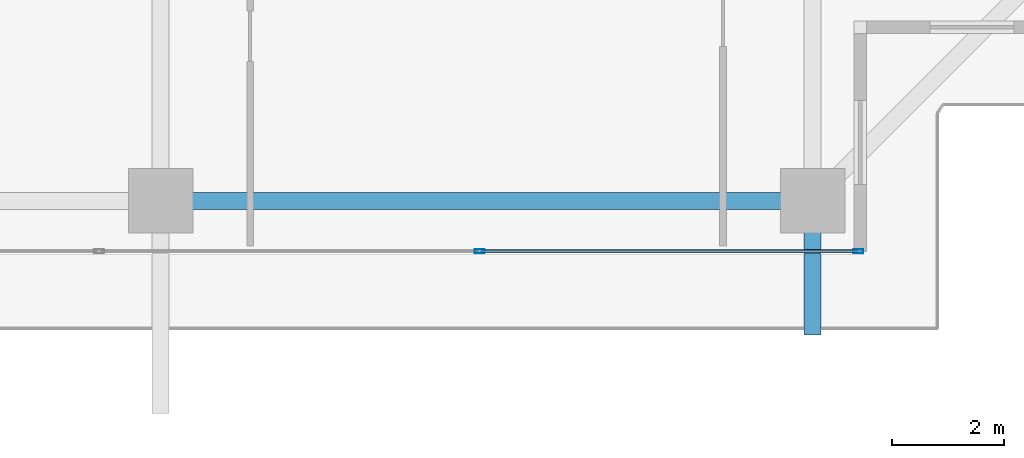
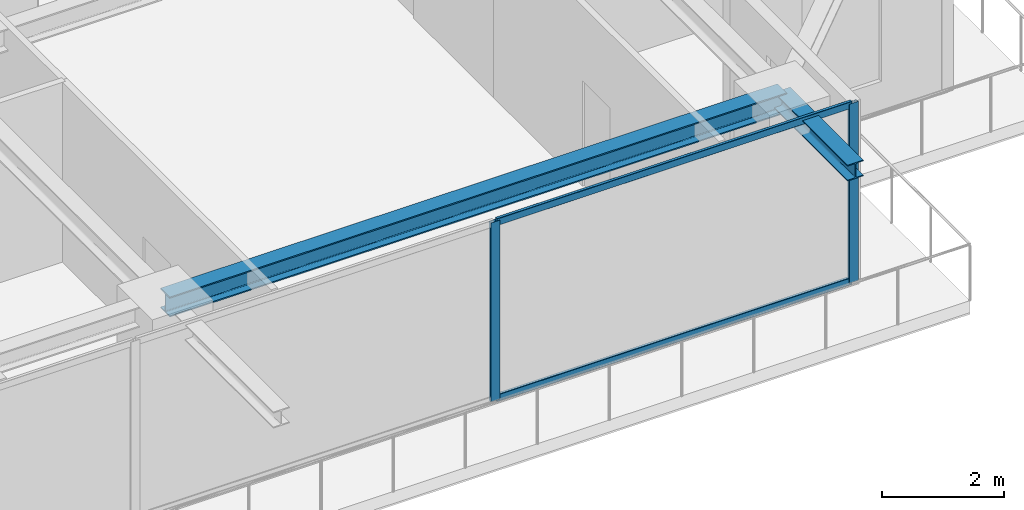
# One storey, part 12 of 40: 4 members, 2 beams, 1 element without a shape of its own.
"""IFC4 building model written with IfcOpenShell, lengths in metres."""

from ifc_helpers import new_model, si_unit, direction, frame, origin, origin_2d, place, context, subcontext, project, spatial, hollow_rectangle, i_section, extrude, source, transform, mapped, material, layer, layer_set, material_profile, profile_set, type_object, element, aggregate, save


model = new_model("IFC4")

# Units and contexts
model_context = context("Model", 3, precision=1e-05, world=origin(), true_north=direction((0.0, 1.0)))
body_context = subcontext(model_context, "Body", "Model", "MODEL_VIEW")
ifc_project = project(units=[si_unit("LENGTHUNIT", "METRE"), si_unit("AREAUNIT", "SQUARE_METRE"), si_unit("VOLUMEUNIT", "CUBIC_METRE"), si_unit("PLANEANGLEUNIT", "RADIAN"), si_unit("MASSUNIT", "GRAM", prefix="KILO")], contexts=[model_context])

# Site, building, storey
site_placement = place(None, origin())
site = spatial("IfcSite", under=ifc_project, at=site_placement, CompositionType="ELEMENT")
building_placement = place(site_placement, origin())
building = spatial("IfcBuilding", under=site, at=building_placement, Name="Serunith Strait Residences", CompositionType="ELEMENT")
storey_placement = place(building_placement, frame((0.0, 0.0, 252.800048828125)))
storey = spatial("IfcBuildingStorey", under=building, at=storey_placement, Name="L63", CompositionType="ELEMENT", Elevation=252.800048828125)

# Beams
ifc_material_1 = material(Name="Steel S355J2", Category="steel")
ifc_material_profile_1 = material_profile(ifc_material_1, i_section(OverallWidth=0.300048828125, OverallDepth=0.39990234375, WebThickness=0.013427734375, FlangeThickness=0.02392578125, FilletRadius=0.027099609375, at=origin_2d()), Name="HEB 400")
ifc_profile_set_1 = profile_set([ifc_material_profile_1], Name="Steel S355J2")
beam_type_1 = type_object("IfcBeamType", Name="BM-HEB400", PredefinedType="BEAM", material=ifc_profile_set_1)
shared_shape_1 = source(origin(), body_context, "Body", "SweptSolid", [
    extrude(i_section(OverallWidth=0.300048828125, OverallDepth=0.39990234375, WebThickness=0.013427734375, FlangeThickness=0.02392578125, FilletRadius=0.027099609375, at=origin_2d()), origin(), (0.0, 0.0, 1.0), 11.650146484375),
])
beam_1_placement = place(storey_placement, frame((36.89990234375, 2.10009765625, 3.386962890625), z_axis=(1.0, 0.0, 0.0), x_axis=(0.0, 1.0, 0.0)))
element("IfcBeam", 1, at=beam_1_placement, inside=storey, type_object=beam_type_1, Name="L63 Perimeter Ring Beam 03", PredefinedType="BEAM", context=body_context, shape_type="MappedRepresentation", body=[
    mapped(shared_shape_1, transform((0.0, 0.0, 0.0), scale=1.0)),
])
ifc_material_profile_2 = material_profile(ifc_material_1, i_section(OverallWidth=0.300048828125, OverallDepth=0.320068359375, WebThickness=0.011474609375, FlangeThickness=0.0205078125, FilletRadius=0.027099609375, at=origin_2d()), Name="HEB 320")
ifc_profile_set_2 = profile_set([ifc_material_profile_2], Name="Steel S355J2")
beam_type_2 = type_object("IfcBeamType", Name="BM-HEB320", PredefinedType="BEAM", material=ifc_profile_set_2)
shared_shape_2 = source(origin(), body_context, "Body", "SweptSolid", [
    extrude(i_section(OverallWidth=0.300048828125, OverallDepth=0.320068359375, WebThickness=0.011474609375, FlangeThickness=0.0205078125, FilletRadius=0.027099609375, at=origin_2d()), origin(), (0.0, 0.0, 1.0), 2.397705078125),
])
beam_2_placement = place(storey_placement, frame((48.550048828125, 2.10009765625, 3.39697265625), z_axis=(0.0, -1.0, 0.0), x_axis=(1.0, 0.0, 0.0)))
element("IfcBeam", 2, at=beam_2_placement, inside=storey, type_object=beam_type_2, Name="L64 Cantilevered Balcony Rib TC-S4", PredefinedType="BEAM", context=body_context, shape_type="MappedRepresentation", body=[
    mapped(shared_shape_2, transform((0.0, 0.0, 0.0), scale=1.0)),
])

# Curtain wall, members
ifc_material_2 = material(Name="Pale-Champagne Anodised Aluminium", Category="aluminium")
ifc_layer = layer(ifc_material_2, 0.199951171875, Name="Pale-Champagne Anodised Aluminium")
ifc_layer_set = layer_set([ifc_layer], Name="Pale-Champagne Anodised Aluminium")
curtain_wall_type = type_object("IfcCurtainWallType", Name="CW-SYS4", PredefinedType="NOTDEFINED", material=ifc_layer_set)
curtain_wall_placement = place(storey_placement, origin())
curtain_wall = element("IfcCurtainWall", 3, at=curtain_wall_placement, inside=storey, type_object=curtain_wall_type, Name="L63 S Unitised Fritted Curtain Wall", PredefinedType="NOTDEFINED")
ifc_material_profile_3 = material_profile(ifc_material_2, hollow_rectangle(XDim=0.06494140625, YDim=0.179931640625, WallThickness=0.00341796875, InnerFilletRadius=0.00537109375, OuterFilletRadius=0.0087890625, at=origin_2d()), Name="ALU 180x65x3.5")
ifc_profile_set_3 = profile_set([ifc_material_profile_3], Name="Pale-Champagne Anodised Aluminium")
member_type_1 = type_object("IfcMemberType", Name="CW-SYS4-MULL", PredefinedType="MULLION", material=ifc_profile_set_3)
shared_shape_3 = source(origin(), body_context, "Body", "SweptSolid", [
    extrude(hollow_rectangle(XDim=0.06494140625, YDim=0.179931640625, WallThickness=0.00341796875, InnerFilletRadius=0.00537109375, OuterFilletRadius=0.0087890625, at=origin_2d()), origin(), (0.0, 0.0, 1.0), 3.574951171875),
])
member_1_placement = place(storey_placement, frame((42.60009765625, 1.199951171875, 0.0), z_axis=(0.0, 0.0, 1.0), x_axis=(0.0, 1.0, 0.0)))
member_1 = element("IfcMember", 4, at=member_1_placement, type_object=member_type_1, Name="CW-4 mullion 5", PredefinedType="MULLION", context=body_context, shape_type="MappedRepresentation", body=[
    mapped(shared_shape_3, transform((0.0, 0.0, 0.0), scale=1.0)),
])
member_2_placement = place(storey_placement, frame((49.367431640625, 1.199951171875, 0.0), z_axis=(0.0, 0.0, 1.0), x_axis=(0.0, 1.0, 0.0)))
member_2 = element("IfcMember", 5, at=member_2_placement, type_object=member_type_1, Name="CW-4 mullion 6", PredefinedType="MULLION", context=body_context, shape_type="MappedRepresentation", body=[
    mapped(shared_shape_3, transform((0.0, 0.0, 0.0), scale=1.0)),
])
ifc_material_profile_4 = material_profile(ifc_material_2, hollow_rectangle(XDim=0.06005859375, YDim=0.139892578125, WallThickness=0.00341796875, InnerFilletRadius=0.00537109375, OuterFilletRadius=0.0087890625, at=origin_2d()), Name="ALU 140x60x3.5")
ifc_profile_set_4 = profile_set([ifc_material_profile_4], Name="Pale-Champagne Anodised Aluminium")
member_type_2 = type_object("IfcMemberType", Name="CW-SYS4-TRAN", PredefinedType="USERDEFINED", material=ifc_profile_set_4)
shared_shape_4 = source(origin(), body_context, "Body", "SweptSolid", [
    extrude(hollow_rectangle(XDim=0.06005859375, YDim=0.139892578125, WallThickness=0.00341796875, InnerFilletRadius=0.00537109375, OuterFilletRadius=0.0087890625, at=origin_2d()), origin(), (0.0, 0.0, 1.0), 6.702392578125),
])
member_3_placement = place(storey_placement, frame((42.632568359375, 1.199951171875, 0.030029296875), z_axis=(1.0, 0.0, 0.0), x_axis=(0.0, 1.0, 0.0)))
member_3 = element("IfcMember", 6, at=member_3_placement, type_object=member_type_2, Name="CW-4 transom 5.1", ObjectType="TRANSOM", PredefinedType="USERDEFINED", context=body_context, shape_type="MappedRepresentation", body=[
    mapped(shared_shape_4, transform((0.0, 0.0, 0.0), scale=1.0)),
])
member_4_placement = place(storey_placement, frame((42.632568359375, 1.199951171875, 3.544921875), z_axis=(1.0, 0.0, 0.0), x_axis=(0.0, 1.0, 0.0)))
member_4 = element("IfcMember", 7, at=member_4_placement, type_object=member_type_2, Name="CW-4 transom 5.2", ObjectType="TRANSOM", PredefinedType="USERDEFINED", context=body_context, shape_type="MappedRepresentation", body=[
    mapped(shared_shape_4, transform((0.0, 0.0, 0.0), scale=1.0)),
])
aggregate(curtain_wall, [member_1, member_2, member_3, member_4])

save(model, "model.ifc")
